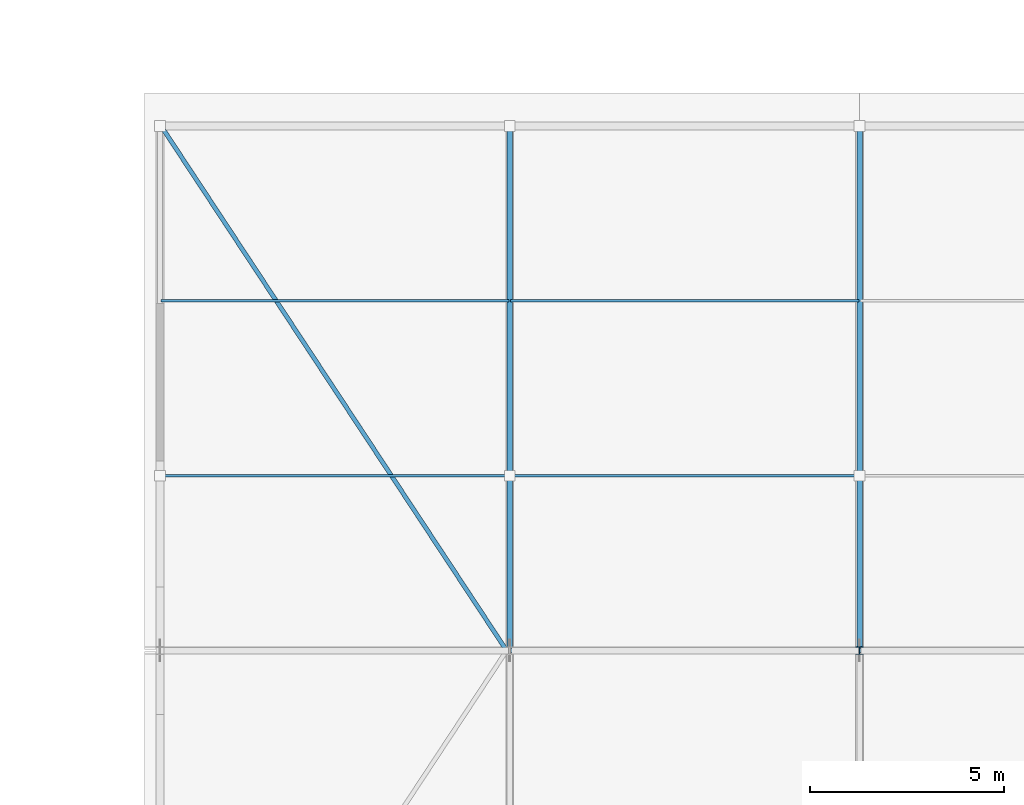
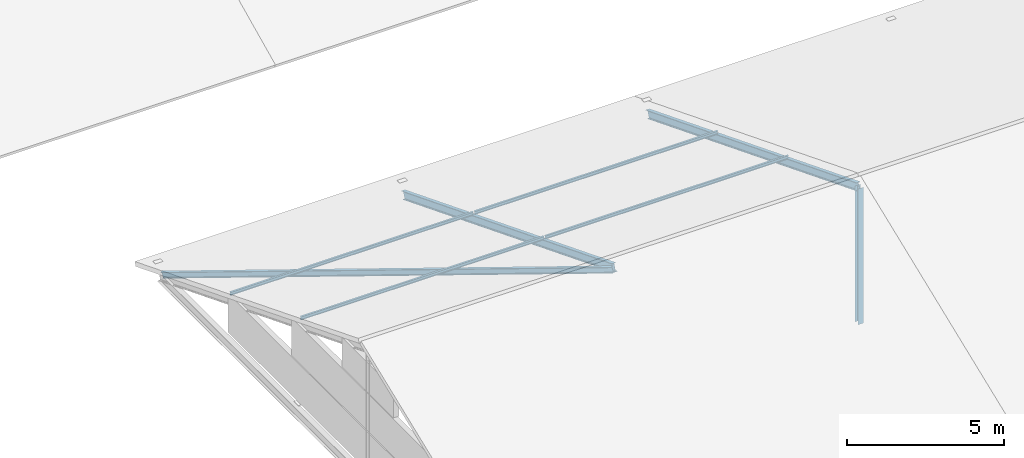
# One storey, part 68 of 132: 8 members.
"""IFC4 building model written with IfcOpenShell, lengths in metres."""

from ifc_helpers import new_model, si_unit, direction, frame, origin, origin_2d, place, context, subcontext, project, spatial, i_section, extrude, material, material_profile, profile_set, type_object, element, save


model = new_model("IFC4")

# Units and contexts
model_context = context("Model", 3, precision=1e-05, world=origin(), true_north=direction((0.0, 1.0)))
body_context = subcontext(model_context, "Body", "Model", "MODEL_VIEW")
ifc_project = project(units=[si_unit("LENGTHUNIT", "METRE"), si_unit("AREAUNIT", "SQUARE_METRE"), si_unit("VOLUMEUNIT", "CUBIC_METRE"), si_unit("PLANEANGLEUNIT", "RADIAN"), si_unit("MASSUNIT", "GRAM", prefix="KILO")], contexts=[model_context])

# Site, building, storey
site_placement = place(None, origin())
site = spatial("IfcSite", under=ifc_project, at=site_placement, CompositionType="ELEMENT")
building_placement = place(site_placement, origin())
building = spatial("IfcBuilding", under=site, at=building_placement, Name="Tharagai Park Tramway Depot", CompositionType="ELEMENT")
storey_placement = place(building_placement, frame((0.0, 0.0, 4.800048828125)))
storey = spatial("IfcBuildingStorey", under=building, at=storey_placement, Name="L01", CompositionType="ELEMENT", Elevation=4.800048828125)

# Members
ifc_material_1 = material(Name="Steel E350", Category="steel")
ifc_material_profile_1 = material_profile(ifc_material_1, i_section(OverallWidth=0.110107421875, OverallDepth=0.22509765625, WebThickness=0.006591796875, FlangeThickness=0.01171875, FilletRadius=0.011962890625, at=origin_2d()), Name="ISMB 225")
ifc_profile_set_1 = profile_set([ifc_material_profile_1], Name="Steel E350")
member_type_1 = type_object("IfcMemberType", Name="BR-04", PredefinedType="BRACE", material=ifc_profile_set_1)
member_1_placement = place(storey_placement, frame((171.080078125, 80.919921875, -0.449951171875), z_axis=(0.522990191208, -0.793960584134, 0.310012662227), x_axis=(0.83510413753, 0.550091882762, 0.0)))
element("IfcMember", 1, at=member_1_placement, inside=storey, type_object=member_type_1, Name="V6 Roof Wind Brace BR-04", PredefinedType="BRACE", context=body_context, shape_type="SweptSolid", body=[
    extrude(i_section(OverallWidth=0.110107421875, OverallDepth=0.22509765625, WebThickness=0.006591796875, FlangeThickness=0.01171875, FilletRadius=0.011962890625, at=origin_2d()), origin(), (0.0, 0.0, 1.0), 16.902587890625),
])
ifc_material_profile_2 = material_profile(ifc_material_1, i_section(OverallWidth=0.199951171875, OverallDepth=0.199951171875, WebThickness=0.0078125, FlangeThickness=0.009033203125, FilletRadius=0.009033203125, at=origin_2d()), Name="ISHB 200")
ifc_profile_set_2 = profile_set([ifc_material_profile_2], Name="Steel E350")
member_type_2 = type_object("IfcMemberType", Name="BR-10", PredefinedType="BRACE", material=ifc_profile_set_2)
member_2_placement = place(storey_placement, frame((189.0, 67.5, -0.449951171875), z_axis=(0.0, 0.0, 1.0), x_axis=(1.0, 0.0, 0.0)))
element("IfcMember", 2, at=member_2_placement, inside=storey, type_object=member_type_2, Name="V6 Gable King Strut BR-10", PredefinedType="BRACE", context=body_context, shape_type="SweptSolid", body=[
    extrude(i_section(OverallWidth=0.199951171875, OverallDepth=0.199951171875, WebThickness=0.0078125, FlangeThickness=0.009033203125, FilletRadius=0.009033203125, at=origin_2d()), origin(), (0.0, 0.0, 1.0), 5.2900390625),
])
ifc_material_2 = material(Name="Steel E250", Category="steel")
ifc_material_profile_3 = material_profile(ifc_material_2, i_section(OverallWidth=0.070068359375, OverallDepth=0.125, WebThickness=0.00439453125, FlangeThickness=0.007080078125, FilletRadius=0.008056640625, at=origin_2d()), Name="ISMB 125")
ifc_profile_set_3 = profile_set([ifc_material_profile_3], Name="Steel E250")
member_type_3 = type_object("IfcMemberType", Name="PR-06", PredefinedType="PURLIN", material=ifc_profile_set_3)
for number, where, z_axis, x_axis, name in (
    (3, (171.02001953125, 76.5, 1.512451171875), (1.0, 0.0, 0.0), (0.0, 1.0, 0.0), "V6 Roof Purlin PR-06"),
    (4, (171.02001953125, 72.0, 3.284912109375), (1.0, 0.0, 0.0), (0.0, 1.0, 0.0), "V6 Roof Purlin PR-06"),
    (5, (180.02001953125, 76.5, 1.512451171875), (1.0, 0.0, 0.0), (0.0, 1.0, 0.0), "V6 Roof Purlin PR-06"),
    (6, (180.02001953125, 72.0, 3.284912109375), (1.0, 0.0, 0.0), (0.0, 1.0, 0.0), "V6 Roof Purlin PR-06"),
):
    element("IfcMember", number, at=place(storey_placement, frame(where, z_axis=z_axis, x_axis=x_axis)), inside=storey, type_object=member_type_3, Name=name, PredefinedType="PURLIN", context=body_context, shape_type="SweptSolid", body=[
        extrude(i_section(OverallWidth=0.070068359375, OverallDepth=0.125, WebThickness=0.00439453125, FlangeThickness=0.007080078125, FilletRadius=0.008056640625, at=origin_2d()), origin(), (0.0, 0.0, 1.0), 8.9599609375),
    ])
ifc_material_profile_4 = material_profile(ifc_material_1, i_section(OverallWidth=0.139892578125, OverallDepth=0.300048828125, WebThickness=0.0078125, FlangeThickness=0.01318359375, FilletRadius=0.013916015625, at=origin_2d()), Name="ISMB 300")
ifc_profile_set_4 = profile_set([ifc_material_profile_4], Name="Steel E350")
member_type_4 = type_object("IfcMemberType", Name="RF-02", PredefinedType="RAFTER", material=ifc_profile_set_4)
for number, where, z_axis, x_axis, name in (
    (7, (180.0, 67.5, 4.840087890625), (0.0, 0.929950116334, -0.367685709717), (-1.0, 0.0, 0.0), "V6 Pitched Rafter RF-02 North"),
    (8, (189.0, 67.5, 4.840087890625), (0.0, 0.929950116334, -0.367685709717), (-1.0, 0.0, 0.0), "V6 Pitched Rafter RF-02 North"),
):
    element("IfcMember", number, at=place(storey_placement, frame(where, z_axis=z_axis, x_axis=x_axis)), inside=storey, type_object=member_type_4, Name=name, PredefinedType="RAFTER", context=body_context, shape_type="SweptSolid", body=[
        extrude(i_section(OverallWidth=0.139892578125, OverallDepth=0.300048828125, WebThickness=0.0078125, FlangeThickness=0.01318359375, FilletRadius=0.013916015625, at=origin_2d()), origin(), (0.0, 0.0, 1.0), 14.463134765625),
    ])

save(model, "model.ifc")
